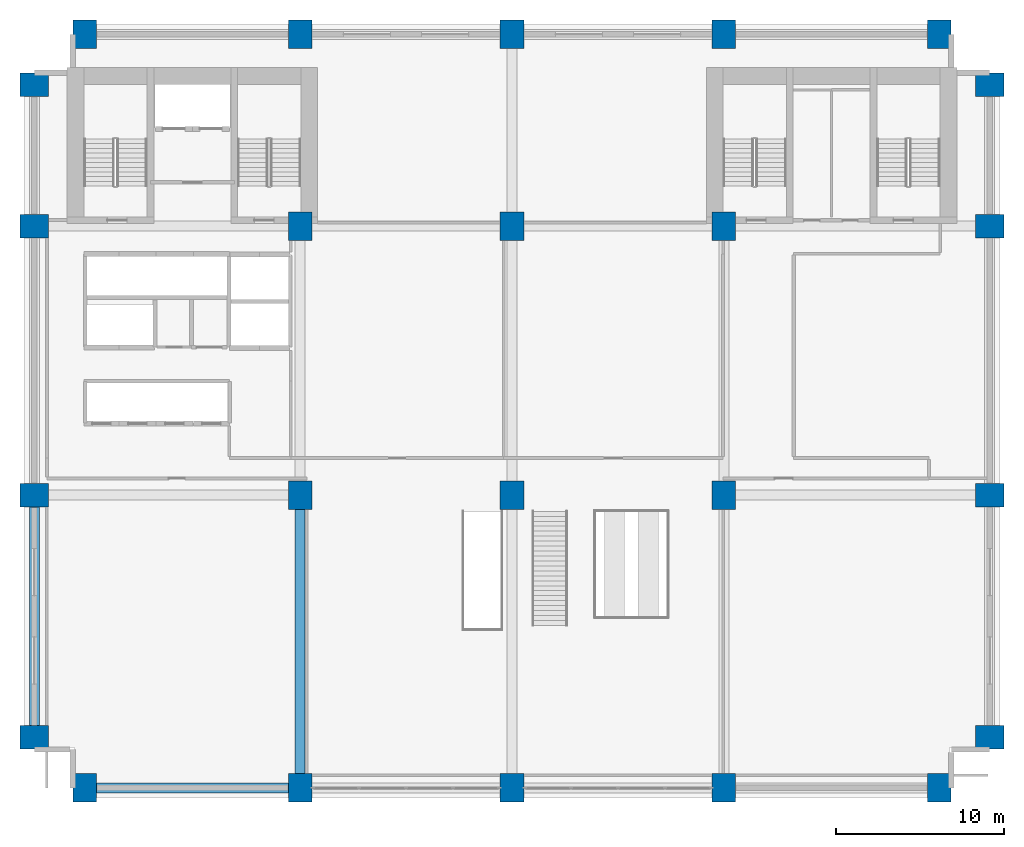
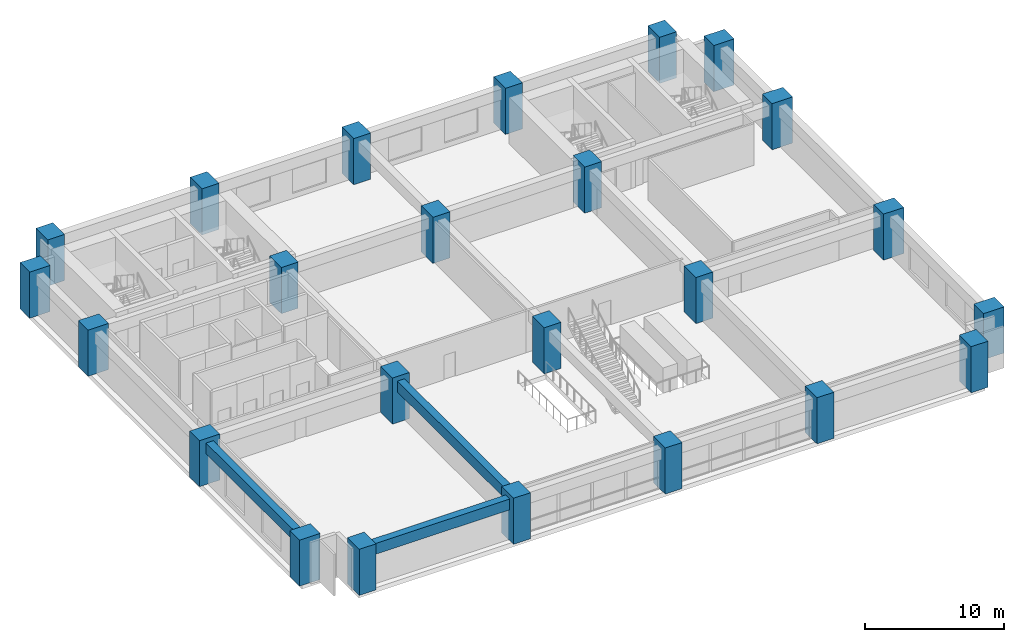
# One storey, part 1 of 11: 24 columns, 3 beams.
"""IFC4 building model written with IfcOpenShell, lengths in metres."""

from ifc_helpers import new_model, si_unit, direction, frame, origin, origin_2d, place, context, subcontext, project, spatial, rectangle, extrude, material, material_profile, profile_set, type_object, element, save


model = new_model("IFC4")

# Units and contexts
model_context = context("Model", 3, precision=1e-05, world=origin(), true_north=direction((0.0, 1.0)))
body_context = subcontext(model_context, "Body", "Model", "MODEL_VIEW")
ifc_project = project(units=[si_unit("LENGTHUNIT", "METRE"), si_unit("AREAUNIT", "SQUARE_METRE"), si_unit("VOLUMEUNIT", "CUBIC_METRE"), si_unit("PLANEANGLEUNIT", "RADIAN"), si_unit("MASSUNIT", "GRAM", prefix="KILO")], contexts=[model_context])

# Site, building, storey
site_placement = place(None, origin())
site = spatial("IfcSite", under=ifc_project, at=site_placement, CompositionType="ELEMENT")
building_placement = place(site_placement, origin())
building = spatial("IfcBuilding", under=site, at=building_placement, Name="Sulina Concourse Tower", CompositionType="ELEMENT")
storey_placement = place(building_placement, frame((0.0, 0.0, 9.449951171875)))
storey = spatial("IfcBuildingStorey", under=building, at=storey_placement, Name="L02", CompositionType="ELEMENT", Elevation=9.449951171875)

# Columns
ifc_material_1 = material(Name="Concrete C80/95", Category="concrete")
ifc_material_profile_1 = material_profile(ifc_material_1, rectangle(XDim=1.39990234375, YDim=1.699951171875, at=origin_2d()), Name="RC 1400x1700")
ifc_profile_set_1 = profile_set([ifc_material_profile_1], Name="Concrete C80/95")
column_type = type_object("IfcColumnType", Name="Station Podium Column 1400x1700", PredefinedType="COLUMN", material=ifc_profile_set_1)
for number, where, z_axis, x_axis, name in (
    (1, (3.60009765625, 0.60009765625, 0.0), (0.0, 0.0, 1.0), (1.0, 0.0, 0.0), "L02 structural column MC-S1"),
    (2, (3.60009765625, 45.39990234375, 0.0), (0.0, 0.0, 1.0), (1.0, 0.0, 0.0), "L02 structural column MC-N1"),
    (3, (16.39990234375, 0.60009765625, 0.0), (0.0, 0.0, 1.0), (1.0, 0.0, 0.0), "L02 structural column MC-S2"),
    (4, (16.39990234375, 45.39990234375, 0.0), (0.0, 0.0, 1.0), (1.0, 0.0, 0.0), "L02 structural column MC-N2"),
    (5, (29.0, 0.60009765625, 0.0), (0.0, 0.0, 1.0), (1.0, 0.0, 0.0), "L02 structural column MC-S3"),
    (6, (29.0, 45.39990234375, 0.0), (0.0, 0.0, 1.0), (1.0, 0.0, 0.0), "L02 structural column MC-N3"),
    (7, (41.60009765625, 0.60009765625, 0.0), (0.0, 0.0, 1.0), (1.0, 0.0, 0.0), "L02 structural column MC-S4"),
    (8, (41.60009765625, 45.39990234375, 0.0), (0.0, 0.0, 1.0), (1.0, 0.0, 0.0), "L02 structural column MC-N4"),
    (9, (54.39990234375, 0.60009765625, 0.0), (0.0, 0.0, 1.0), (1.0, 0.0, 0.0), "L02 structural column MC-S5"),
    (10, (54.39990234375, 45.39990234375, 0.0), (0.0, 0.0, 1.0), (1.0, 0.0, 0.0), "L02 structural column MC-N5"),
    (11, (0.60009765625, 3.60009765625, 0.0), (0.0, 0.0, 1.0), (0.0, 1.0, 0.0), "L02 structural column MC-W1"),
    (12, (57.39990234375, 3.60009765625, 0.0), (0.0, 0.0, 1.0), (0.0, 1.0, 0.0), "L02 structural column MC-E1"),
    (13, (0.60009765625, 18.0, 0.0), (0.0, 0.0, 1.0), (0.0, 1.0, 0.0), "L02 structural column MC-W2"),
    (14, (57.39990234375, 18.0, 0.0), (0.0, 0.0, 1.0), (0.0, 1.0, 0.0), "L02 structural column MC-E2"),
    (15, (0.60009765625, 34.0, 0.0), (0.0, 0.0, 1.0), (0.0, 1.0, 0.0), "L02 structural column MC-W3"),
    (16, (57.39990234375, 34.0, 0.0), (0.0, 0.0, 1.0), (0.0, 1.0, 0.0), "L02 structural column MC-E3"),
    (17, (0.60009765625, 42.39990234375, 0.0), (0.0, 0.0, 1.0), (0.0, 1.0, 0.0), "L02 structural column MC-W4"),
    (18, (57.39990234375, 42.39990234375, 0.0), (0.0, 0.0, 1.0), (0.0, 1.0, 0.0), "L02 structural column MC-E4"),
    (19, (16.39990234375, 18.0, 0.0), (0.0, 0.0, 1.0), (1.0, 0.0, 0.0), "L02 structural column MC-M1"),
    (20, (16.39990234375, 34.0, 0.0), (0.0, 0.0, 1.0), (1.0, 0.0, 0.0), "L02 structural column MC-C1"),
    (21, (29.0, 18.0, 0.0), (0.0, 0.0, 1.0), (1.0, 0.0, 0.0), "L02 structural column MC-M2"),
    (22, (29.0, 34.0, 0.0), (0.0, 0.0, 1.0), (1.0, 0.0, 0.0), "L02 structural column MC-C2"),
    (23, (41.60009765625, 18.0, 0.0), (0.0, 0.0, 1.0), (1.0, 0.0, 0.0), "L02 structural column MC-M3"),
    (24, (41.60009765625, 34.0, 0.0), (0.0, 0.0, 1.0), (1.0, 0.0, 0.0), "L02 structural column MC-C3"),
):
    element("IfcColumn", number, at=place(storey_placement, frame(where, z_axis=z_axis, x_axis=x_axis)), inside=storey, type_object=column_type, Name=name, PredefinedType="COLUMN", context=body_context, shape_type="SweptSolid", body=[
        extrude(rectangle(XDim=1.39990234375, YDim=1.699951171875, at=origin_2d()), origin(), (0.0, 0.0, 1.0), 4.050048828125),
    ])

# Beams
ifc_material_2 = material(Name="Concrete C60/75", Category="concrete")
ifc_material_profile_2 = material_profile(ifc_material_2, rectangle(XDim=0.60009765625, YDim=0.949951171875, at=origin_2d()), Name="RC 600x950")
ifc_profile_set_2 = profile_set([ifc_material_profile_2], Name="Concrete C60/75")
beam_type = type_object("IfcBeamType", Name="Basement & Podium Primary Beam 600x950", PredefinedType="BEAM", material=ifc_profile_set_2)
beam_1_placement = place(storey_placement, frame((4.280029296875, 0.60009765625, 3.175048828125), z_axis=(1.0, 0.0, 0.0), x_axis=(0.0, 1.0, 0.0)))
element("IfcBeam", 25, at=beam_1_placement, inside=storey, type_object=beam_type, Name="PB-S1-L02", PredefinedType="BEAM", context=body_context, shape_type="SweptSolid", body=[
    extrude(rectangle(XDim=0.60009765625, YDim=0.949951171875, at=origin_2d()), origin(), (0.0, 0.0, 1.0), 11.43994140625),
])
beam_2_placement = place(storey_placement, frame((0.60009765625, 4.280029296875, 3.175048828125), z_axis=(0.0, 1.0, 0.0), x_axis=(-1.0, 0.0, 0.0)))
element("IfcBeam", 26, at=beam_2_placement, inside=storey, type_object=beam_type, Name="PB-W1-L02", PredefinedType="BEAM", context=body_context, shape_type="SweptSolid", body=[
    extrude(rectangle(XDim=0.60009765625, YDim=0.949951171875, at=origin_2d()), origin(), (0.0, 0.0, 1.0), 13.0400390625),
])
beam_3_placement = place(storey_placement, frame((16.39990234375, 1.280029296875, 3.175048828125), z_axis=(0.0, 1.0, 0.0), x_axis=(-1.0, 0.0, 0.0)))
element("IfcBeam", 27, at=beam_3_placement, inside=storey, type_object=beam_type, Name="PB-NS1A-L02", PredefinedType="BEAM", context=body_context, shape_type="SweptSolid", body=[
    extrude(rectangle(XDim=0.60009765625, YDim=0.949951171875, at=origin_2d()), origin(), (0.0, 0.0, 1.0), 16.0400390625),
])

save(model, "model.ifc")
